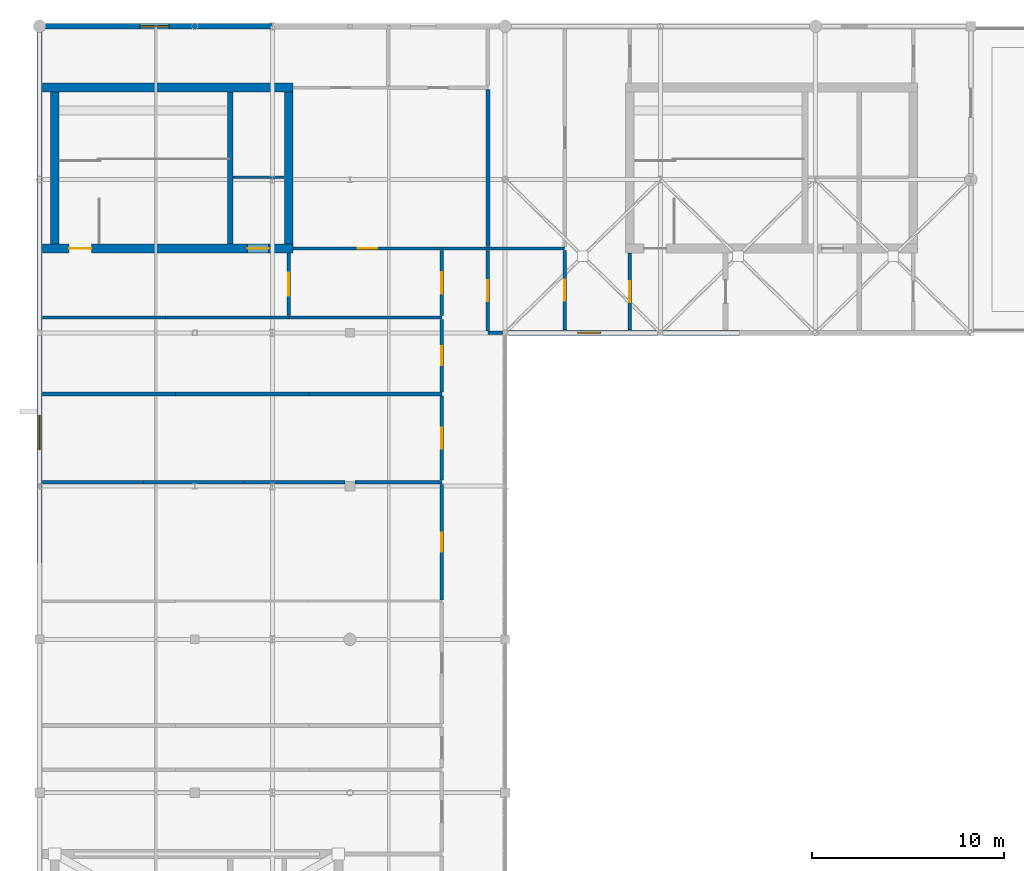
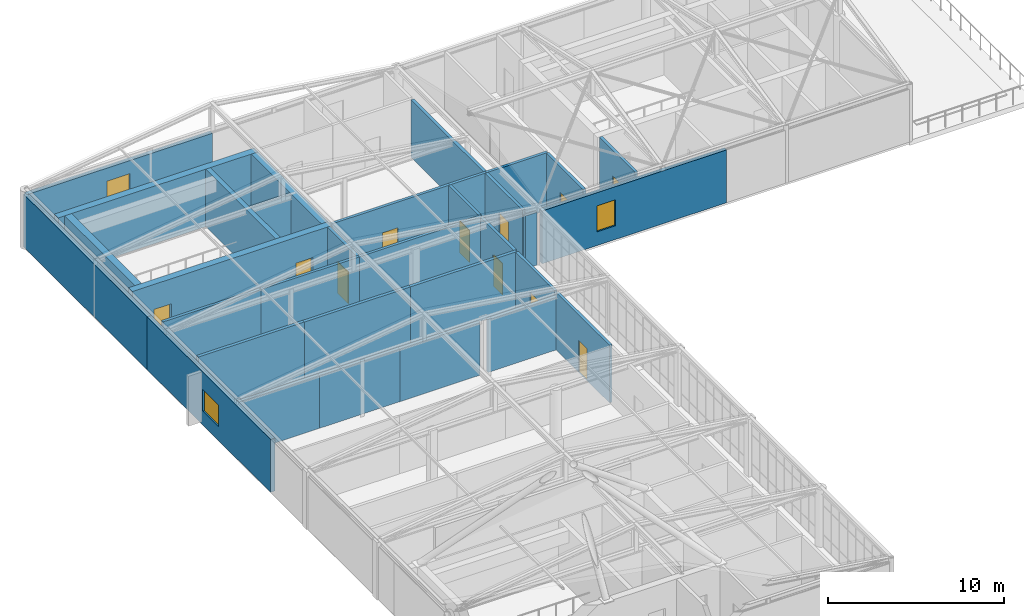
# One storey, part 19 of 21: 33 walls, 11 doors, 3 windows, 14 openings.
"""IFC4 building model written with IfcOpenShell, lengths in metres."""

from ifc_helpers import new_model, si_unit, direction, frame, frame_2d, origin, place, context, subcontext, project, spatial, rectangle, extrude, material, layer, layer_set, type_object, element, fill, save


model = new_model("IFC4")

# Units and contexts
model_context = context("Model", 3, precision=1e-05, world=origin(), true_north=direction((0.0, 1.0)))
body_context = subcontext(model_context, "Body", "Model", "MODEL_VIEW")
ifc_project = project(units=[si_unit("LENGTHUNIT", "METRE"), si_unit("AREAUNIT", "SQUARE_METRE"), si_unit("VOLUMEUNIT", "CUBIC_METRE"), si_unit("PLANEANGLEUNIT", "RADIAN"), si_unit("MASSUNIT", "GRAM", prefix="KILO")], contexts=[model_context])

# Site, building, storey
site_placement = place(None, origin())
site = spatial("IfcSite", under=ifc_project, at=site_placement, CompositionType="ELEMENT")
building_placement = place(site_placement, origin())
building = spatial("IfcBuilding", under=site, at=building_placement, Name="Tarnveldt Square Police Headquarters", CompositionType="ELEMENT")
storey_placement = place(building_placement, frame((0.0, 0.0, 33.300048828125)))
storey = spatial("IfcBuildingStorey", under=building, at=storey_placement, Name="L07", CompositionType="ELEMENT", Elevation=33.300048828125)

# Walls
ifc_material_1 = material(Name="Fire-rated Type X gypsum board on steel studs", Category="steel")
ifc_layer_1 = layer(ifc_material_1, 0.199951171875)
ifc_layer_set_1 = layer_set([ifc_layer_1], Name="Fire-rated Type X gypsum board on steel studs")
wall_type_1 = type_object("IfcWallType", Name="WL-ACOUST-200", PredefinedType="PARTITIONING", material=ifc_layer_set_1)
wall_1_placement = place(storey_placement, frame((16.347900390625, 88.199951171875, 0.0), z_axis=(0.0, 0.0, 1.0), x_axis=(1.0, 0.0, 0.0)))
element("IfcWall", 1, at=wall_1_placement, inside=storey, type_object=wall_type_1, Name="L07 Interior Partition Wall 0731", PredefinedType="PARTITIONING", context=body_context, shape_type="SweptSolid", body=[
    extrude(rectangle(XDim=5.2646484375, YDim=0.199951171875, at=frame_2d((2.63232421875, 0.0))), origin(), (0.0, 0.0, 1.0), 3.655029296875),
])
wall_2_placement = place(storey_placement, frame((21.612548828125, 88.199951171875, 0.0), z_axis=(0.0, 0.0, 1.0), x_axis=(1.0, 0.0, 0.0)))
element("IfcWall", 2, at=wall_2_placement, inside=storey, type_object=wall_type_1, Name="L07 Interior Partition Wall 0732", PredefinedType="PARTITIONING", context=body_context, shape_type="SweptSolid", body=[
    extrude(rectangle(XDim=5.264892578125, YDim=0.199951171875, at=frame_2d((2.63232421875, 0.0))), origin(), (0.0, 0.0, 1.0), 3.655029296875),
])
wall_3_placement = place(storey_placement, frame((26.87744140625, 88.199951171875, 0.0), z_axis=(0.0, 0.0, 1.0), x_axis=(1.0, 0.0, 0.0)))
element("IfcWall", 3, at=wall_3_placement, inside=storey, type_object=wall_type_1, Name="L07 Interior Partition Wall 0733", PredefinedType="PARTITIONING", context=body_context, shape_type="SweptSolid", body=[
    extrude(rectangle(XDim=5.2646484375, YDim=0.199951171875, at=frame_2d((2.63232421875, 0.0))), origin(), (0.0, 0.0, 1.0), 3.655029296875),
])
wall_4_placement = place(storey_placement, frame((32.657958984375, 88.199951171875, 0.0), z_axis=(0.0, 0.0, 1.0), x_axis=(1.0, 0.0, 0.0)))
element("IfcWall", 4, at=wall_4_placement, inside=storey, type_object=wall_type_1, Name="L07 Interior Partition Wall 0734", PredefinedType="PARTITIONING", context=body_context, shape_type="SweptSolid", body=[
    extrude(rectangle(XDim=4.5419921875, YDim=0.199951171875, at=frame_2d((2.27099609375, 0.0))), origin(), (0.0, 0.0, 1.0), 3.655029296875),
])
for number, where, z_axis, x_axis, name in (
    (5, (16.347900390625, 92.800048828125, 0.0), (0.0, 0.0, 1.0), (1.0, 0.0, 0.0), "L07 Interior Partition Wall 0735"),
    (6, (23.298583984375, 92.800048828125, 0.0), (0.0, 0.0, 1.0), (1.0, 0.0, 0.0), "L07 Interior Partition Wall 0736"),
    (7, (30.249267578125, 92.800048828125, 0.0), (0.0, 0.0, 1.0), (1.0, 0.0, 0.0), "L07 Interior Partition Wall 0737"),
):
    element("IfcWall", number, at=place(storey_placement, frame(where, z_axis=z_axis, x_axis=x_axis)), inside=storey, type_object=wall_type_1, Name=name, PredefinedType="PARTITIONING", context=body_context, shape_type="SweptSolid", body=[
        extrude(rectangle(XDim=6.95068359375, YDim=0.199951171875, at=frame_2d((3.475341796875, 0.0))), origin(), (0.0, 0.0, 1.0), 3.97998046875),
    ])
wall_5_placement = place(storey_placement, frame((39.60009765625, 100.498046875, 0.0), z_axis=(0.0, 0.0, 1.0), x_axis=(0.0, 1.0, 0.0)))
element("IfcWall", 8, at=wall_5_placement, inside=storey, type_object=wall_type_1, Name="L07 Interior Partition Wall 0768", PredefinedType="PARTITIONING", context=body_context, shape_type="SweptSolid", body=[
    extrude(rectangle(XDim=8.203857421875, YDim=0.199951171875, at=frame_2d((4.10205078125, 0.0))), origin(), (0.0, 0.0, 1.0), 3.97998046875),
])

# Wall, openings, doors
ifc_material_2 = material(Name="Concrete 50 MPa", Category="concrete")
ifc_layer_2 = layer(ifc_material_2, 0.449951171875)
ifc_layer_set_2 = layer_set([ifc_layer_2], Name="Concrete 50 MPa")
wall_type_2 = type_object("IfcWallType", Name="WL-CORE-450", PredefinedType="SHEAR", material=ifc_layer_set_2)
wall_6_placement = place(storey_placement, frame((16.360107421875, 100.39990234375, 0.0), z_axis=(0.0, 0.0, 1.0), x_axis=(1.0, 0.0, 0.0)))
wall_6 = element("IfcWall", 9, at=wall_6_placement, inside=storey, type_object=wall_type_2, Name="Core K2 North-West Operations Core L07 South Shear Wall", PredefinedType="SHEAR", context=body_context, shape_type="SweptSolid", body=[
    extrude(rectangle(XDim=13.06494140625, YDim=0.449951171875, at=frame_2d((6.532470703125, 0.0))), origin(), (0.0, 0.0, 1.0), 3.97998046875),
])
opening_1_placement = place(wall_6_placement, frame((1.389892578125, 0.0, 0.0)))
opening_1 = element("IfcOpeningElement", 10, at=opening_1_placement, cuts=wall_6, Name="Opening D-ST2-L07", PredefinedType="OPENING", context=body_context, shape_type="SweptSolid", body=[
    extrude(rectangle(XDim=1.14990234375, YDim=2.25, at=frame_2d((0.574951171875, 1.125))), frame((0.0, 0.23486328125, 0.0), z_axis=(0.0, -1.0, 0.0), x_axis=(1.0, 0.0, 0.0)), (0.0, 0.0, 1.0), 0.469970703125),
])
opening_2_placement = place(wall_6_placement, frame((10.695068359375, 0.0, 0.0)))
opening_2 = element("IfcOpeningElement", 11, at=opening_2_placement, cuts=wall_6, Name="Opening LD-LP2-L07", PredefinedType="OPENING", context=body_context, shape_type="SweptSolid", body=[
    extrude(rectangle(XDim=1.10009765625, YDim=2.199951171875, at=frame_2d((0.550048828125, 1.10009765625))), frame((0.0, 0.23486328125, 0.0), z_axis=(0.0, -1.0, 0.0), x_axis=(1.0, 0.0, 0.0)), (0.0, 0.0, 1.0), 0.469970703125),
])
ifc_material_3 = material(Name="Insulated hollow metal steel door leaf", Category="steel")
door_type_1 = type_object("IfcDoorType", Name="DR-FD90-1150", OperationType="NOTDEFINED", PredefinedType="DOOR", material=ifc_material_3)
door_1_placement = place(opening_1_placement, origin())
door_1 = element("IfcDoor", 12, at=door_1_placement, inside=storey, type_object=door_type_1, Name="Exit Stair ST2 L07 Fire Door", OperationType="SINGLE_SWING_LEFT", OverallHeight=2.25, OverallWidth=1.14990234375, PredefinedType="DOOR", context=body_context, shape_type="SweptSolid", body=[
    extrude(rectangle(XDim=1.14990234375, YDim=2.25, at=frame_2d((0.574951171875, 1.125))), frame((0.0, 0.02490234375, 0.0), z_axis=(0.0, -1.0, 0.0), x_axis=(1.0, 0.0, 0.0)), (0.0, 0.0, 1.0), 0.050048828125),
])
fill(opening_1, door_1)
ifc_material_4 = material(Name="Steel 350W", Category="steel")
door_type_2 = type_object("IfcDoorType", Name="DR-LD-1100", OperationType="DOUBLE_DOOR_SLIDING", PredefinedType="DOOR", material=ifc_material_4)
door_2_placement = place(opening_2_placement, frame((1.10009765625, 0.0, 0.0), z_axis=(0.0, 0.0, 1.0), x_axis=(-1.0, 0.0, 0.0)))
door_2 = element("IfcDoor", 13, at=door_2_placement, inside=storey, type_object=door_type_2, Name="Elevator LP2 L07 Sliding Landing Door", OperationType="DOUBLE_DOOR_SLIDING", OverallHeight=2.199951171875, OverallWidth=1.10009765625, PredefinedType="DOOR", context=body_context, shape_type="SweptSolid", body=[
    extrude(rectangle(XDim=1.10009765625, YDim=2.199951171875, at=frame_2d((0.550048828125, 1.10009765625))), frame((0.0, 0.02490234375, 0.0), z_axis=(0.0, -1.0, 0.0), x_axis=(1.0, 0.0, 0.0)), (0.0, 0.0, 1.0), 0.050048828125),
])
fill(opening_2, door_2)

# Walls
wall_7_placement = place(storey_placement, frame((16.360107421875, 108.800048828125, 0.0), z_axis=(0.0, 0.0, 1.0), x_axis=(1.0, 0.0, 0.0)))
element("IfcWall", 14, at=wall_7_placement, inside=storey, type_object=wall_type_2, Name="Core K2 North-West Operations Core L07 North Shear Wall", PredefinedType="SHEAR", context=body_context, shape_type="SweptSolid", body=[
    extrude(rectangle(XDim=13.06494140625, YDim=0.449951171875, at=frame_2d((6.532470703125, 0.0))), origin(), (0.0, 0.0, 1.0), 3.97998046875),
])
for number, where, z_axis, x_axis, name in (
    (15, (17.0, 100.625, 0.0), (0.0, 0.0, 1.0), (0.0, 1.0, 0.0), "Core K2 North-West Operations Core L07 West Shear Wall"),
    (16, (29.199951171875, 100.625, 0.0), (0.0, 0.0, 1.0), (0.0, 1.0, 0.0), "Core K2 North-West Operations Core L07 East Shear Wall"),
):
    element("IfcWall", number, at=place(storey_placement, frame(where, z_axis=z_axis, x_axis=x_axis)), inside=storey, type_object=wall_type_2, Name=name, PredefinedType="SHEAR", context=body_context, shape_type="SweptSolid", body=[
        extrude(rectangle(XDim=7.949951171875, YDim=0.449951171875, at=frame_2d((3.97509765625, 0.0))), origin(), (0.0, 0.0, 1.0), 3.97998046875),
    ])
wall_8_placement = place(storey_placement, frame((26.14990234375, 100.625, 0.0), z_axis=(0.0, 0.0, 1.0), x_axis=(0.0, 1.0, 0.0)))
element("IfcWall", 17, at=wall_8_placement, inside=storey, type_object=wall_type_2, Name="Core K2 North-West Operations Core L07 Stair-Lift Divider Shear Wall", PredefinedType="SHEAR", context=body_context, shape_type="SweptSolid", body=[
    extrude(rectangle(XDim=7.949951171875, YDim=0.300048828125, at=frame_2d((3.97509765625, 0.0))), origin(), (0.0, 0.0, 1.0), 3.97998046875),
])

# Wall, opening, window
ifc_material_5 = material(Name="Precast concrete 35 MPa", Category="concrete")
ifc_layer_3 = layer(ifc_material_5, 0.260009765625)
ifc_layer_set_3 = layer_set([ifc_layer_3], Name="Precast concrete 35 MPa")
wall_type_3 = type_object("IfcWallType", Name="WL-EXT-PC260", PredefinedType="SOLIDWALL", material=ifc_layer_set_3)
wall_9_placement = place(storey_placement, frame((40.679931640625, 96.0, 0.0), z_axis=(0.0, 0.0, 1.0), x_axis=(1.0, 0.0, 0.0)))
wall_9 = element("IfcWall", 18, at=wall_9_placement, inside=storey, type_object=wall_type_3, Name="L07 Brutalist Exterior Wall 0244", PredefinedType="SOLIDWALL", context=body_context, shape_type="SweptSolid", body=[
    extrude(rectangle(XDim=12.06005859375, YDim=0.260009765625, at=frame_2d((6.030029296875, 0.0))), origin(), (0.0, 0.0, 1.0), 3.655029296875),
])
opening_3_placement = place(wall_9_placement, frame((3.60009765625, 0.0, 0.949951171875)))
opening_3 = element("IfcOpeningElement", 19, at=opening_3_placement, cuts=wall_9, Name="Opening W04", PredefinedType="OPENING", context=body_context, shape_type="SweptSolid", body=[
    extrude(rectangle(XDim=1.199951171875, YDim=1.800048828125, at=frame_2d((0.60009765625, 0.89990234375))), frame((0.0, 0.139892578125, 0.0), z_axis=(0.0, -1.0, 0.0), x_axis=(1.0, 0.0, 0.0)), (0.0, 0.0, 1.0), 0.280029296875),
])
ifc_material_6 = material(Name="Triple-glazed low-e laminated vision glass", Category="glass")
window_type_1 = type_object("IfcWindowType", Name="WIN-DR-120x180", PartitioningType="SINGLE_PANEL", PredefinedType="WINDOW", material=ifc_material_6)
window_1_placement = place(opening_3_placement, origin())
window_1 = element("IfcWindow", 20, at=window_1_placement, inside=storey, type_object=window_type_1, Name="L07 Deep-Reveal Brutalist Window 0124", OverallHeight=1.800048828125, OverallWidth=1.199951171875, PartitioningType="SINGLE_PANEL", PredefinedType="WINDOW", context=body_context, shape_type="SweptSolid", body=[
    extrude(rectangle(XDim=1.199951171875, YDim=1.800048828125, at=frame_2d((0.60009765625, 0.89990234375))), frame((0.0, 0.030029296875, 0.0), z_axis=(0.0, -1.0, 0.0), x_axis=(1.0, 0.0, 0.0)), (0.0, 0.0, 1.0), 0.06005859375),
])
fill(opening_3, window_1)

ifc_layer_4 = layer(ifc_material_5, 0.280029296875)
ifc_layer_set_4 = layer_set([ifc_layer_4], Name="Precast concrete 35 MPa")
wall_type_4 = type_object("IfcWallType", Name="WL-EXT-PC280", PredefinedType="SOLIDWALL", material=ifc_layer_set_4)
wall_10_placement = place(storey_placement, frame((28.35009765625, 112.0, 0.0), z_axis=(0.0, 0.0, 1.0), x_axis=(-1.0, 0.0, 0.0)))
wall_10 = element("IfcWall", 21, at=wall_10_placement, inside=storey, type_object=wall_type_4, Name="L07 Brutalist Exterior Wall 0250", PredefinedType="SOLIDWALL", context=body_context, shape_type="SweptSolid", body=[
    extrude(rectangle(XDim=12.150146484375, YDim=0.280029296875, at=frame_2d((6.0751953125, 0.0))), origin(), (0.0, 0.0, 1.0), 3.655029296875),
])
opening_4_placement = place(wall_10_placement, frame((5.39990234375, 0.0, 0.949951171875)))
opening_4 = element("IfcOpeningElement", 22, at=opening_4_placement, cuts=wall_10, Name="Opening W07", PredefinedType="OPENING", context=body_context, shape_type="SweptSolid", body=[
    extrude(rectangle(XDim=1.5, YDim=1.800048828125, at=frame_2d((0.75, 0.89990234375))), frame((0.0, 0.14990234375, 0.0), z_axis=(0.0, -1.0, 0.0), x_axis=(1.0, 0.0, 0.0)), (0.0, 0.0, 1.0), 0.300048828125),
])
window_type_2 = type_object("IfcWindowType", Name="WIN-DR-150x180", PartitioningType="DOUBLE_PANEL_VERTICAL", PredefinedType="WINDOW", material=ifc_material_6)
window_2_placement = place(opening_4_placement, origin())
window_2 = element("IfcWindow", 23, at=window_2_placement, inside=storey, type_object=window_type_2, Name="L07 Deep-Reveal Brutalist Window 0127", OverallHeight=1.800048828125, OverallWidth=1.5, PartitioningType="DOUBLE_PANEL_VERTICAL", PredefinedType="WINDOW", context=body_context, shape_type="SweptSolid", body=[
    extrude(rectangle(XDim=1.5, YDim=1.800048828125, at=frame_2d((0.75, 0.89990234375))), frame((0.0, 0.030029296875, 0.0), z_axis=(0.0, -1.0, 0.0), x_axis=(1.0, 0.0, 0.0)), (0.0, 0.0, 1.0), 0.06005859375),
])
fill(opening_4, window_2)

# Wall
wall_11_placement = place(storey_placement, frame((16.199951171875, 112.0, 0.0), z_axis=(0.0, 0.0, 1.0), x_axis=(0.0, -1.0, 0.0)))
element("IfcWall", 24, at=wall_11_placement, inside=storey, type_object=wall_type_4, Name="L07 Brutalist Exterior Wall 0251", PredefinedType="SOLIDWALL", context=body_context, shape_type="SweptSolid", body=[
    extrude(rectangle(XDim=14.0, YDim=0.280029296875, at=frame_2d((7.0, 0.0))), origin(), (0.0, 0.0, 1.0), 3.655029296875),
])

# Wall, opening, window
wall_12_placement = place(storey_placement, frame((16.199951171875, 98.0, 0.0), z_axis=(0.0, 0.0, 1.0), x_axis=(0.0, -1.0, 0.0)))
wall_12 = element("IfcWall", 25, at=wall_12_placement, inside=storey, type_object=wall_type_4, Name="L07 Brutalist Exterior Wall 0252", PredefinedType="SOLIDWALL", context=body_context, shape_type="SweptSolid", body=[
    extrude(rectangle(XDim=14.0, YDim=0.280029296875, at=frame_2d((7.0, 0.0))), origin(), (0.0, 0.0, 1.0), 3.655029296875),
])
opening_5_placement = place(wall_12_placement, frame((6.300048828125, 0.0, 0.949951171875)))
opening_5 = element("IfcOpeningElement", 26, at=opening_5_placement, cuts=wall_12, Name="Opening W08", PredefinedType="OPENING", context=body_context, shape_type="SweptSolid", body=[
    extrude(rectangle(XDim=1.800048828125, YDim=1.5, at=frame_2d((0.89990234375, 0.75))), frame((0.0, 0.14990234375, 0.0), z_axis=(0.0, -1.0, 0.0), x_axis=(1.0, 0.0, 0.0)), (0.0, 0.0, 1.0), 0.300048828125),
])
window_type_3 = type_object("IfcWindowType", Name="WIN-DR-180x150", PartitioningType="DOUBLE_PANEL_VERTICAL", PredefinedType="WINDOW", material=ifc_material_6)
window_3_placement = place(opening_5_placement, origin())
window_3 = element("IfcWindow", 27, at=window_3_placement, inside=storey, type_object=window_type_3, Name="L07 Deep-Reveal Brutalist Window 0128", OverallHeight=1.5, OverallWidth=1.800048828125, PartitioningType="DOUBLE_PANEL_VERTICAL", PredefinedType="WINDOW", context=body_context, shape_type="SweptSolid", body=[
    extrude(rectangle(XDim=1.800048828125, YDim=1.5, at=frame_2d((0.89990234375, 0.75))), frame((0.0, 0.030029296875, 0.0), z_axis=(0.0, -1.0, 0.0), x_axis=(1.0, 0.0, 0.0)), (0.0, 0.0, 1.0), 0.06005859375),
])
fill(opening_5, window_3)

# Walls
ifc_layer_5 = layer(ifc_material_1, 0.179931640625)
ifc_layer_set_5 = layer_set([ifc_layer_5], Name="Fire-rated Type X gypsum board on steel studs")
wall_type_5 = type_object("IfcWallType", Name="WL-FIRE-180", PredefinedType="PARTITIONING", material=ifc_layer_set_5)
for number, where, z_axis, x_axis, name in (
    (28, (16.347900390625, 96.800048828125, 0.0), (0.0, 0.0, 1.0), (1.0, 0.0, 0.0), "L07 Interior Partition Wall 0738"),
    (29, (22.77392578125, 96.800048828125, 0.0), (0.0, 0.0, 1.0), (1.0, 0.0, 0.0), "L07 Interior Partition Wall 0739"),
):
    element("IfcWall", number, at=place(storey_placement, frame(where, z_axis=z_axis, x_axis=x_axis)), inside=storey, type_object=wall_type_5, Name=name, PredefinedType="PARTITIONING", context=body_context, shape_type="SweptSolid", body=[
        extrude(rectangle(XDim=6.426025390625, YDim=0.179931640625, at=frame_2d((3.212890625, 0.0))), origin(), (0.0, 0.0, 1.0), 3.97998046875),
    ])
wall_13_placement = place(storey_placement, frame((29.199951171875, 96.800048828125, 0.0), z_axis=(0.0, 0.0, 1.0), x_axis=(1.0, 0.0, 0.0)))
element("IfcWall", 30, at=wall_13_placement, inside=storey, type_object=wall_type_5, Name="L07 Interior Partition Wall 0740", PredefinedType="PARTITIONING", context=body_context, shape_type="SweptSolid", body=[
    extrude(rectangle(XDim=8.0, YDim=0.179931640625, at=frame_2d((4.0, 0.0))), origin(), (0.0, 0.0, 1.0), 3.97998046875),
])

# Wall, opening, door
wall_14_placement = place(storey_placement, frame((29.425048828125, 100.39990234375, 0.0), z_axis=(0.0, 0.0, 1.0), x_axis=(1.0, 0.0, 0.0)))
wall_14 = element("IfcWall", 31, at=wall_14_placement, inside=storey, type_object=wall_type_5, Name="L07 Interior Partition Wall 0741", PredefinedType="PARTITIONING", context=body_context, shape_type="SweptSolid", body=[
    extrude(rectangle(XDim=7.77490234375, YDim=0.179931640625, at=frame_2d((3.887451171875, 0.0))), origin(), (0.0, 0.0, 1.0), 3.97998046875),
])
opening_6_placement = place(wall_14_placement, frame((3.387451171875, 0.0, 0.0)))
opening_6 = element("IfcOpeningElement", 32, at=opening_6_placement, cuts=wall_14, Name="Opening D05", PredefinedType="OPENING", context=body_context, shape_type="SweptSolid", body=[
    extrude(rectangle(XDim=1.0, YDim=2.199951171875, at=frame_2d((0.5, 1.10009765625))), frame((0.0, 0.099853515625, 0.0), z_axis=(0.0, -1.0, 0.0), x_axis=(1.0, 0.0, 0.0)), (0.0, 0.0, 1.0), 0.199951171875),
])
ifc_material_7 = material(Name="Solid core architectural birch door leaf", Category="wood")
door_type_3 = type_object("IfcDoorType", Name="DR-INT-1000", OperationType="NOTDEFINED", PredefinedType="DOOR", material=ifc_material_7)
door_3_placement = place(opening_6_placement, origin())
door_3 = element("IfcDoor", 33, at=door_3_placement, inside=storey, type_object=door_type_3, Name="Chief of Staff Secretariat Office Door", OperationType="SINGLE_SWING_RIGHT", OverallHeight=2.199951171875, OverallWidth=1.0, PredefinedType="DOOR", context=body_context, shape_type="SweptSolid", body=[
    extrude(rectangle(XDim=1.0, YDim=2.199951171875, at=frame_2d((0.5, 1.10009765625))), frame((0.0, 0.02490234375, 0.0), z_axis=(0.0, -1.0, 0.0), x_axis=(1.0, 0.0, 0.0)), (0.0, 0.0, 1.0), 0.050048828125),
])
fill(opening_6, door_3)

# Walls
wall_15_placement = place(storey_placement, frame((37.199951171875, 100.39990234375, 0.0), z_axis=(0.0, 0.0, 1.0), x_axis=(1.0, 0.0, 0.0)))
element("IfcWall", 34, at=wall_15_placement, inside=storey, type_object=wall_type_5, Name="L07 Interior Partition Wall 0748", PredefinedType="PARTITIONING", context=body_context, shape_type="SweptSolid", body=[
    extrude(rectangle(XDim=2.400146484375, YDim=0.179931640625, at=frame_2d((1.2001953125, 0.0))), origin(), (0.0, 0.0, 1.0), 3.97998046875),
])
wall_16_placement = place(storey_placement, frame((39.60009765625, 96.0, 0.0), z_axis=(0.0, 0.0, 1.0), x_axis=(1.0, 0.0, 0.0)))
element("IfcWall", 35, at=wall_16_placement, inside=storey, type_object=wall_type_5, Name="L07 Interior Partition Wall 0749", PredefinedType="PARTITIONING", context=body_context, shape_type="SweptSolid", body=[
    extrude(rectangle(XDim=0.764892578125, YDim=0.179931640625, at=frame_2d((0.38232421875, 0.0))), origin(), (0.0, 0.0, 1.0), 3.655029296875),
])
wall_17_placement = place(storey_placement, frame((39.60009765625, 100.39990234375, 0.0), z_axis=(0.0, 0.0, 1.0), x_axis=(1.0, 0.0, 0.0)))
element("IfcWall", 36, at=wall_17_placement, inside=storey, type_object=wall_type_5, Name="L07 Interior Partition Wall 0750", PredefinedType="PARTITIONING", context=body_context, shape_type="SweptSolid", body=[
    extrude(rectangle(XDim=4.0, YDim=0.179931640625, at=frame_2d((2.0, 0.0))), origin(), (0.0, 0.0, 1.0), 3.97998046875),
])

# Wall, opening, door
wall_18_placement = place(storey_placement, frame((29.199951171875, 96.89794921875, 0.0), z_axis=(0.0, 0.0, 1.0), x_axis=(0.0, 1.0, 0.0)))
wall_18 = element("IfcWall", 37, at=wall_18_placement, inside=storey, type_object=wall_type_5, Name="L07 Interior Partition Wall 0753", PredefinedType="PARTITIONING", context=body_context, shape_type="SweptSolid", body=[
    extrude(rectangle(XDim=3.26904296875, YDim=0.179931640625, at=frame_2d((1.634521484375, 0.0))), origin(), (0.0, 0.0, 1.0), 3.97998046875),
])
opening_7_placement = place(wall_18_placement, frame((1.034423828125, 0.0, 0.0)))
opening_7 = element("IfcOpeningElement", 38, at=opening_7_placement, cuts=wall_18, Name="Opening D16", PredefinedType="OPENING", context=body_context, shape_type="SweptSolid", body=[
    extrude(rectangle(XDim=1.199951171875, YDim=2.199951171875, at=frame_2d((0.60009765625, 1.10009765625))), frame((0.0, 0.099853515625, 0.0), z_axis=(0.0, -1.0, 0.0), x_axis=(1.0, 0.0, 0.0)), (0.0, 0.0, 1.0), 0.199951171875),
])
door_type_4 = type_object("IfcDoorType", Name="DR-FD60-1200", OperationType="NOTDEFINED", PredefinedType="DOOR", material=ifc_material_3)
door_4_placement = place(opening_7_placement, frame((1.199951171875, 0.0, 0.0), z_axis=(0.0, 0.0, 1.0), x_axis=(-1.0, 0.0, 0.0)))
door_4 = element("IfcDoor", 39, at=door_4_placement, inside=storey, type_object=door_type_4, Name="Core Lift Lobby K2-L07 Door", OperationType="SINGLE_SWING_RIGHT", OverallHeight=2.199951171875, OverallWidth=1.199951171875, PredefinedType="DOOR", context=body_context, shape_type="SweptSolid", body=[
    extrude(rectangle(XDim=1.199951171875, YDim=2.199951171875, at=frame_2d((0.60009765625, 1.10009765625))), frame((0.0, 0.02490234375, 0.0), z_axis=(0.0, -1.0, 0.0), x_axis=(1.0, 0.0, 0.0)), (0.0, 0.0, 1.0), 0.050048828125),
])
fill(opening_7, door_4)

wall_19_placement = place(storey_placement, frame((37.199951171875, 82.06298828125, 0.0), z_axis=(0.0, 0.0, 1.0), x_axis=(0.0, 1.0, 0.0)))
wall_19 = element("IfcWall", 40, at=wall_19_placement, inside=storey, type_object=wall_type_5, Name="L07 Interior Partition Wall 0763", PredefinedType="PARTITIONING", context=body_context, shape_type="SweptSolid", body=[
    extrude(rectangle(XDim=6.029052734375, YDim=0.179931640625, at=frame_2d((3.0146484375, 0.0))), origin(), (0.0, 0.0, 1.0), 3.97998046875),
])
opening_8_placement = place(wall_19_placement, frame((2.514404296875, 0.0, 0.0)))
opening_8 = element("IfcOpeningElement", 41, at=opening_8_placement, cuts=wall_19, Name="Opening D05", PredefinedType="OPENING", context=body_context, shape_type="SweptSolid", body=[
    extrude(rectangle(XDim=1.0, YDim=2.199951171875, at=frame_2d((0.5, 1.10009765625))), frame((0.0, 0.099853515625, 0.0), z_axis=(0.0, -1.0, 0.0), x_axis=(1.0, 0.0, 0.0)), (0.0, 0.0, 1.0), 0.199951171875),
])
door_5_placement = place(opening_8_placement, origin())
door_5 = element("IfcDoor", 42, at=door_5_placement, inside=storey, type_object=door_type_3, Name="Deputy Chief Specialized Investigations Office Door", OperationType="SINGLE_SWING_LEFT", OverallHeight=2.199951171875, OverallWidth=1.0, PredefinedType="DOOR", context=body_context, shape_type="SweptSolid", body=[
    extrude(rectangle(XDim=1.0, YDim=2.199951171875, at=frame_2d((0.5, 1.10009765625))), frame((0.0, 0.02490234375, 0.0), z_axis=(0.0, -1.0, 0.0), x_axis=(1.0, 0.0, 0.0)), (0.0, 0.0, 1.0), 0.050048828125),
])
fill(opening_8, door_5)

wall_20_placement = place(storey_placement, frame((37.199951171875, 88.30810546875, 0.0), z_axis=(0.0, 0.0, 1.0), x_axis=(0.0, 1.0, 0.0)))
wall_20 = element("IfcWall", 43, at=wall_20_placement, inside=storey, type_object=wall_type_5, Name="L07 Interior Partition Wall 0764", PredefinedType="PARTITIONING", context=body_context, shape_type="SweptSolid", body=[
    extrude(rectangle(XDim=4.3837890625, YDim=0.179931640625, at=frame_2d((2.19189453125, 0.0))), origin(), (0.0, 0.0, 1.0), 3.97998046875),
])
opening_9_placement = place(wall_20_placement, frame((1.64208984375, 0.0, 0.0)))
opening_9 = element("IfcOpeningElement", 44, at=opening_9_placement, cuts=wall_20, Name="Opening D07", PredefinedType="OPENING", context=body_context, shape_type="SweptSolid", body=[
    extrude(rectangle(XDim=1.10009765625, YDim=2.199951171875, at=frame_2d((0.550048828125, 1.10009765625))), frame((0.0, 0.099853515625, 0.0), z_axis=(0.0, -1.0, 0.0), x_axis=(1.0, 0.0, 0.0)), (0.0, 0.0, 1.0), 0.199951171875),
])
door_type_5 = type_object("IfcDoorType", Name="DR-INT-1100", OperationType="NOTDEFINED", PredefinedType="DOOR", material=ifc_material_7)
door_6_placement = place(opening_9_placement, origin())
door_6 = element("IfcDoor", 45, at=door_6_placement, inside=storey, type_object=door_type_5, Name="Executive Crisis Strategy Control Room Door", OperationType="SINGLE_SWING_RIGHT", OverallHeight=2.199951171875, OverallWidth=1.10009765625, PredefinedType="DOOR", context=body_context, shape_type="SweptSolid", body=[
    extrude(rectangle(XDim=1.10009765625, YDim=2.199951171875, at=frame_2d((0.550048828125, 1.10009765625))), frame((0.0, 0.02490234375, 0.0), z_axis=(0.0, -1.0, 0.0), x_axis=(1.0, 0.0, 0.0)), (0.0, 0.0, 1.0), 0.050048828125),
])
fill(opening_9, door_6)

wall_21_placement = place(storey_placement, frame((37.199951171875, 92.907958984375, 0.0), z_axis=(0.0, 0.0, 1.0), x_axis=(0.0, 1.0, 0.0)))
wall_21 = element("IfcWall", 46, at=wall_21_placement, inside=storey, type_object=wall_type_5, Name="L07 Interior Partition Wall 0765", PredefinedType="PARTITIONING", context=body_context, shape_type="SweptSolid", body=[
    extrude(rectangle(XDim=3.7939453125, YDim=0.179931640625, at=frame_2d((1.89697265625, 0.0))), origin(), (0.0, 0.0, 1.0), 3.97998046875),
])
opening_10_placement = place(wall_21_placement, frame((1.39697265625, 0.0, 0.0)))
opening_10 = element("IfcOpeningElement", 47, at=opening_10_placement, cuts=wall_21, Name="Opening D05", PredefinedType="OPENING", context=body_context, shape_type="SweptSolid", body=[
    extrude(rectangle(XDim=1.0, YDim=2.199951171875, at=frame_2d((0.5, 1.10009765625))), frame((0.0, 0.099853515625, 0.0), z_axis=(0.0, -1.0, 0.0), x_axis=(1.0, 0.0, 0.0)), (0.0, 0.0, 1.0), 0.199951171875),
])
door_7_placement = place(opening_10_placement, origin())
door_7 = element("IfcDoor", 48, at=door_7_placement, inside=storey, type_object=door_type_3, Name="General Counsel and Policy Library Door", OperationType="SINGLE_SWING_LEFT", OverallHeight=2.199951171875, OverallWidth=1.0, PredefinedType="DOOR", context=body_context, shape_type="SweptSolid", body=[
    extrude(rectangle(XDim=1.0, YDim=2.199951171875, at=frame_2d((0.5, 1.10009765625))), frame((0.0, 0.02490234375, 0.0), z_axis=(0.0, -1.0, 0.0), x_axis=(1.0, 0.0, 0.0)), (0.0, 0.0, 1.0), 0.050048828125),
])
fill(opening_10, door_7)

wall_22_placement = place(storey_placement, frame((37.199951171875, 96.89794921875, 0.0), z_axis=(0.0, 0.0, 1.0), x_axis=(0.0, 1.0, 0.0)))
wall_22 = element("IfcWall", 49, at=wall_22_placement, inside=storey, type_object=wall_type_5, Name="L07 Interior Partition Wall 0766", PredefinedType="PARTITIONING", context=body_context, shape_type="SweptSolid", body=[
    extrude(rectangle(XDim=3.404052734375, YDim=0.179931640625, at=frame_2d((1.7021484375, 0.0))), origin(), (0.0, 0.0, 1.0), 3.97998046875),
])
opening_11_placement = place(wall_22_placement, frame((1.152099609375, 0.0, 0.0)))
opening_11 = element("IfcOpeningElement", 50, at=opening_11_placement, cuts=wall_22, Name="Opening D15", PredefinedType="OPENING", context=body_context, shape_type="SweptSolid", body=[
    extrude(rectangle(XDim=1.10009765625, YDim=2.199951171875, at=frame_2d((0.550048828125, 1.10009765625))), frame((0.0, 0.099853515625, 0.0), z_axis=(0.0, -1.0, 0.0), x_axis=(1.0, 0.0, 0.0)), (0.0, 0.0, 1.0), 0.199951171875),
])
door_type_6 = type_object("IfcDoorType", Name="DR-FD60-1100", OperationType="NOTDEFINED", PredefinedType="DOOR", material=ifc_material_3)
door_8_placement = place(opening_11_placement, origin())
door_8 = element("IfcDoor", 51, at=door_8_placement, inside=storey, type_object=door_type_6, Name="Core K2 East Vestibule L07 Door", OperationType="SINGLE_SWING_RIGHT", OverallHeight=2.199951171875, OverallWidth=1.10009765625, PredefinedType="DOOR", context=body_context, shape_type="SweptSolid", body=[
    extrude(rectangle(XDim=1.10009765625, YDim=2.199951171875, at=frame_2d((0.550048828125, 1.10009765625))), frame((0.0, 0.02490234375, 0.0), z_axis=(0.0, -1.0, 0.0), x_axis=(1.0, 0.0, 0.0)), (0.0, 0.0, 1.0), 0.050048828125),
])
fill(opening_11, door_8)

wall_23_placement = place(storey_placement, frame((39.60009765625, 96.097900390625, 0.0), z_axis=(0.0, 0.0, 1.0), x_axis=(0.0, 1.0, 0.0)))
wall_23 = element("IfcWall", 52, at=wall_23_placement, inside=storey, type_object=wall_type_5, Name="L07 Interior Partition Wall 0767", PredefinedType="PARTITIONING", context=body_context, shape_type="SweptSolid", body=[
    extrude(rectangle(XDim=4.2041015625, YDim=0.179931640625, at=frame_2d((2.10205078125, 0.0))), origin(), (0.0, 0.0, 1.0), 3.97998046875),
])
opening_12_placement = place(wall_23_placement, frame((1.552001953125, 0.0, 0.0)))
opening_12 = element("IfcOpeningElement", 53, at=opening_12_placement, cuts=wall_23, Name="Opening D15", PredefinedType="OPENING", context=body_context, shape_type="SweptSolid", body=[
    extrude(rectangle(XDim=1.10009765625, YDim=2.199951171875, at=frame_2d((0.550048828125, 1.10009765625))), frame((0.0, 0.099853515625, 0.0), z_axis=(0.0, -1.0, 0.0), x_axis=(1.0, 0.0, 0.0)), (0.0, 0.0, 1.0), 0.199951171875),
])
door_9_placement = place(opening_12_placement, frame((1.10009765625, 0.0, 0.0), z_axis=(0.0, 0.0, 1.0), x_axis=(-1.0, 0.0, 0.0)))
door_9 = element("IfcDoor", 54, at=door_9_placement, inside=storey, type_object=door_type_6, Name="Board Wing Corridor L07 Door", OperationType="SINGLE_SWING_LEFT", OverallHeight=2.199951171875, OverallWidth=1.10009765625, PredefinedType="DOOR", context=body_context, shape_type="SweptSolid", body=[
    extrude(rectangle(XDim=1.10009765625, YDim=2.199951171875, at=frame_2d((0.550048828125, 1.10009765625))), frame((0.0, 0.02490234375, 0.0), z_axis=(0.0, -1.0, 0.0), x_axis=(1.0, 0.0, 0.0)), (0.0, 0.0, 1.0), 0.050048828125),
])
fill(opening_12, door_9)

wall_24_placement = place(storey_placement, frame((43.60009765625, 96.137939453125, 0.0), z_axis=(0.0, 0.0, 1.0), x_axis=(0.0, 1.0, 0.0)))
wall_24 = element("IfcWall", 55, at=wall_24_placement, inside=storey, type_object=wall_type_5, Name="L07 Interior Partition Wall 0770", PredefinedType="PARTITIONING", context=body_context, shape_type="SweptSolid", body=[
    extrude(rectangle(XDim=4.1640625, YDim=0.179931640625, at=frame_2d((2.08203125, 0.0))), origin(), (0.0, 0.0, 1.0), 3.97998046875),
])
opening_13_placement = place(wall_24_placement, frame((1.531982421875, 0.0, 0.0)))
opening_13 = element("IfcOpeningElement", 56, at=opening_13_placement, cuts=wall_24, Name="Opening D15", PredefinedType="OPENING", context=body_context, shape_type="SweptSolid", body=[
    extrude(rectangle(XDim=1.10009765625, YDim=2.199951171875, at=frame_2d((0.550048828125, 1.10009765625))), frame((0.0, 0.099853515625, 0.0), z_axis=(0.0, -1.0, 0.0), x_axis=(1.0, 0.0, 0.0)), (0.0, 0.0, 1.0), 0.199951171875),
])
door_10_placement = place(opening_13_placement, origin())
door_10 = element("IfcDoor", 57, at=door_10_placement, inside=storey, type_object=door_type_6, Name="Board Wing Corridor L07 Secondary Door", OperationType="SINGLE_SWING_RIGHT", OverallHeight=2.199951171875, OverallWidth=1.10009765625, PredefinedType="DOOR", context=body_context, shape_type="SweptSolid", body=[
    extrude(rectangle(XDim=1.10009765625, YDim=2.199951171875, at=frame_2d((0.550048828125, 1.10009765625))), frame((0.0, 0.02490234375, 0.0), z_axis=(0.0, -1.0, 0.0), x_axis=(1.0, 0.0, 0.0)), (0.0, 0.0, 1.0), 0.050048828125),
])
fill(opening_13, door_10)

wall_25_placement = place(storey_placement, frame((47.0, 96.137939453125, 0.0), z_axis=(0.0, 0.0, 1.0), x_axis=(0.0, 1.0, 0.0)))
wall_25 = element("IfcWall", 58, at=wall_25_placement, inside=storey, type_object=wall_type_5, Name="L07 Interior Partition Wall 0772", PredefinedType="PARTITIONING", context=body_context, shape_type="SweptSolid", body=[
    extrude(rectangle(XDim=4.029052734375, YDim=0.179931640625, at=frame_2d((2.0146484375, 0.0))), origin(), (0.0, 0.0, 1.0), 3.97998046875),
])
opening_14_placement = place(wall_25_placement, frame((1.464599609375, 0.0, 0.0)))
opening_14 = element("IfcOpeningElement", 59, at=opening_14_placement, cuts=wall_25, Name="Opening D15", PredefinedType="OPENING", context=body_context, shape_type="SweptSolid", body=[
    extrude(rectangle(XDim=1.10009765625, YDim=2.199951171875, at=frame_2d((0.550048828125, 1.10009765625))), frame((0.0, 0.099853515625, 0.0), z_axis=(0.0, -1.0, 0.0), x_axis=(1.0, 0.0, 0.0)), (0.0, 0.0, 1.0), 0.199951171875),
])
door_11_placement = place(opening_14_placement, origin())
door_11 = element("IfcDoor", 60, at=door_11_placement, inside=storey, type_object=door_type_6, Name="Core Stair Lobby K3-L07 Door", OperationType="SINGLE_SWING_RIGHT", OverallHeight=2.199951171875, OverallWidth=1.10009765625, PredefinedType="DOOR", context=body_context, shape_type="SweptSolid", body=[
    extrude(rectangle(XDim=1.10009765625, YDim=2.199951171875, at=frame_2d((0.550048828125, 1.10009765625))), frame((0.0, 0.02490234375, 0.0), z_axis=(0.0, -1.0, 0.0), x_axis=(1.0, 0.0, 0.0)), (0.0, 0.0, 1.0), 0.050048828125),
])
fill(opening_14, door_11)

# Wall
ifc_layer_6 = layer(ifc_material_1, 0.14990234375)
ifc_layer_set_6 = layer_set([ifc_layer_6], Name="Fire-rated Type X gypsum board on steel studs")
wall_type_6 = type_object("IfcWallType", Name="WL-SHAFT-150", PredefinedType="PARTITIONING", material=ifc_layer_set_6)
wall_26_placement = place(storey_placement, frame((26.300048828125, 104.1201171875, 0.0), z_axis=(0.0, 0.0, 1.0), x_axis=(1.0, 0.0, 0.0)))
element("IfcWall", 61, at=wall_26_placement, inside=storey, type_object=wall_type_6, Name="K2 L07 Elevator Shaft Back Wall", PredefinedType="PARTITIONING", context=body_context, shape_type="SweptSolid", body=[
    extrude(rectangle(XDim=2.64990234375, YDim=0.14990234375, at=frame_2d((1.324951171875, 0.0))), origin(), (0.0, 0.0, 1.0), 3.97998046875),
])

save(model, "model.ifc")
